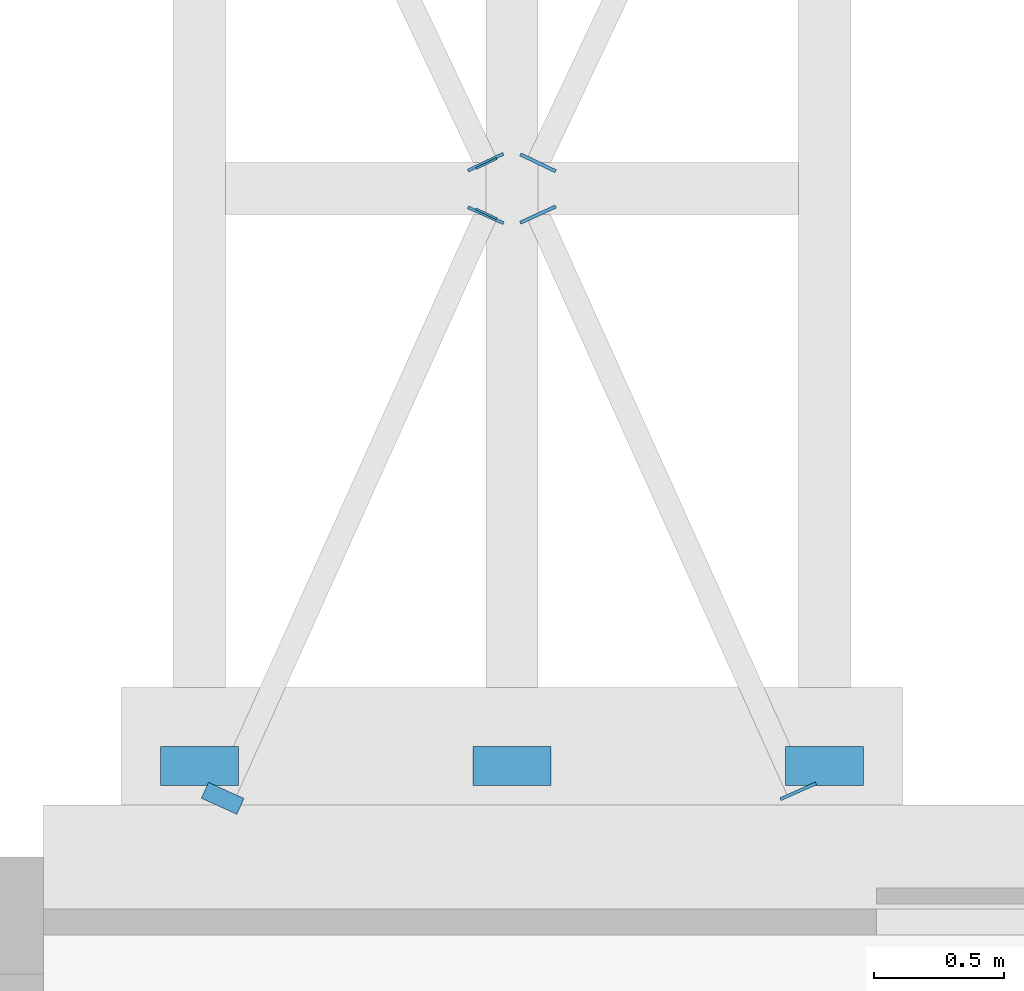
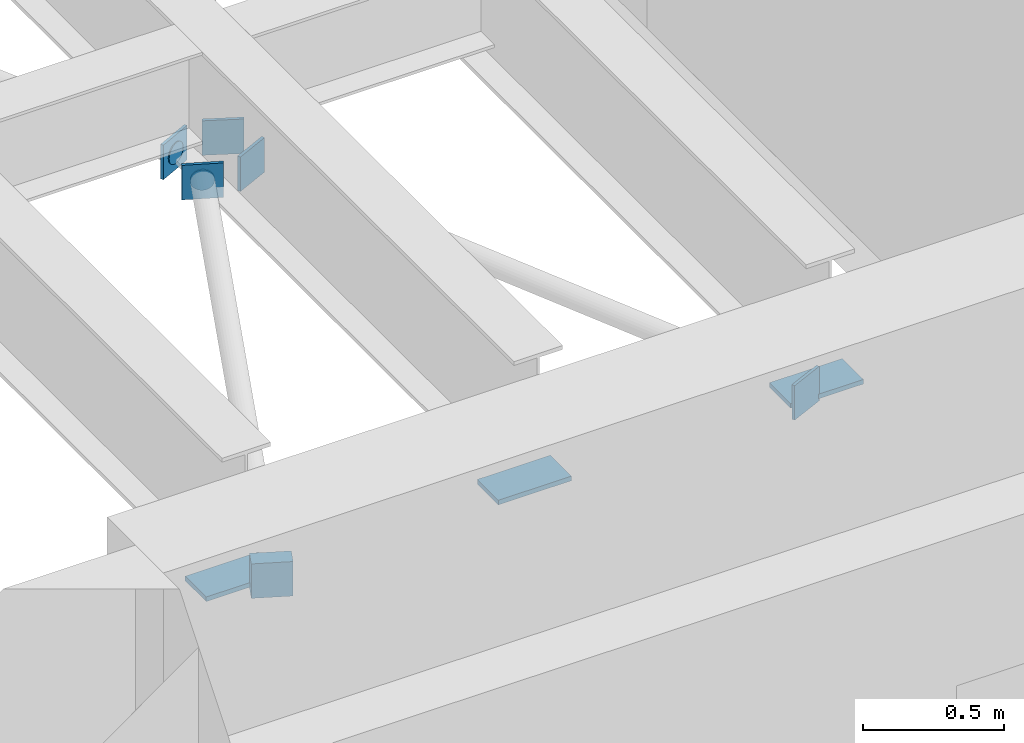
# One storey, part 78 of 103: 11 discrete accessories.
"""IFC4 building model written with IfcOpenShell, lengths in metres."""

from ifc_helpers import new_model, si_unit, direction, frame, origin, origin_2d, place, context, subcontext, project, spatial, rectangle, circle, extrude, material, material_profile, profile_set, type_object, element, save


model = new_model("IFC4")

# Units and contexts
model_context = context("Model", 3, precision=1e-05, world=origin(), true_north=direction((0.0, 1.0)))
body_context = subcontext(model_context, "Body", "Model", "MODEL_VIEW")
ifc_project = project(units=[si_unit("LENGTHUNIT", "METRE"), si_unit("AREAUNIT", "SQUARE_METRE"), si_unit("VOLUMEUNIT", "CUBIC_METRE"), si_unit("PLANEANGLEUNIT", "RADIAN"), si_unit("MASSUNIT", "GRAM", prefix="KILO")], contexts=[model_context])

# Site, building, storey
site_placement = place(None, origin())
site = spatial("IfcSite", under=ifc_project, at=site_placement, CompositionType="ELEMENT")
building_placement = place(site_placement, origin())
building = spatial("IfcBuilding", under=site, at=building_placement, Name="Laocheng Heights Fire and Rescue Headquarters", CompositionType="ELEMENT")
storey_placement = place(building_placement, frame((0.0, 0.0, 4.199951171875)))
storey = spatial("IfcBuildingStorey", under=building, at=storey_placement, Name="L01", CompositionType="ELEMENT", Elevation=4.199951171875)

# Discrete accessories
ifc_material_1 = material(Name="Steel Q355B", Category="steel")
ifc_material_profile_1 = material_profile(ifc_material_1, circle(Radius=0.04443359375, at=origin_2d()), Name="END CAP PLATE D89 x 8 FOR STEEL BRIDGE PLAN BRACE CHS 88.9x5")
ifc_profile_set_1 = profile_set([ifc_material_profile_1], Name="Steel Q355B")
discrete_accessory_type_1 = type_object("IfcDiscreteAccessoryType", Name="END CAP PLATE D89 x 8 FOR STEEL BRIDGE PLAN BRACE CHS 88.9x5", PredefinedType="BRACKET", material=ifc_profile_set_1)
discrete_accessory_1_placement = place(storey_placement, frame((7.699951171875, 24.066650390625, 3.4443359375), z_axis=(0.422885465331, 0.906183139995, 0.0), x_axis=(-0.906183139995, 0.422885465331, 0.0)))
element("IfcDiscreteAccessory", 1, at=discrete_accessory_1_placement, inside=storey, type_object=discrete_accessory_type_1, Name="Cap plate at Bridge B1 plan bracing end 2", PredefinedType="BRACKET", context=body_context, shape_type="SweptSolid", body=[
    extrude(circle(Radius=0.04443359375, at=origin_2d()), origin(), (0.0, 0.0, 1.0), 0.008056640625),
])
discrete_accessory_2_placement = place(storey_placement, frame((7.703369140625, 24.259521484375, 3.4443359375), z_axis=(-0.434749065831, 0.900551636365, 0.0), x_axis=(-0.900551636365, -0.434749065831, 0.0)))
element("IfcDiscreteAccessory", 2, at=discrete_accessory_2_placement, inside=storey, type_object=discrete_accessory_type_1, Name="Cap plate at Bridge B1 plan bracing end 1", PredefinedType="BRACKET", context=body_context, shape_type="SweptSolid", body=[
    extrude(circle(Radius=0.04443359375, at=origin_2d()), origin(), (0.0, 0.0, 1.0), 0.0078125),
])
ifc_material_2 = material(Name="Steel Q355B, dark grey painted", Category="steel")
ifc_material_profile_2 = material_profile(ifc_material_2, rectangle(XDim=0.14990234375, YDim=0.14990234375, at=origin_2d()), Name="GUSSET PLATE 150 x 150 x 12 FOR STEEL BRIDGE PLAN BRACE CHS 88.9x5")
ifc_profile_set_2 = profile_set([ifc_material_profile_2], Name="Steel Q355B, dark grey painted")
discrete_accessory_type_2 = type_object("IfcDiscreteAccessoryType", Name="GUSSET PLATE 150 x 150 x 12 FOR STEEL BRIDGE PLAN BRACE CHS 88.9x5", PredefinedType="BRACKET", material=ifc_profile_set_2)
for number, where, z_axis, x_axis, name in (
    (3, (7.69677734375, 24.059326171875, 3.4443359375), (0.406138466053, 0.91381154862, 0.0), (-0.91381154862, 0.406138466053, 0.0), "End plate at M2-Q end 2"),
    (4, (7.70166015625, 24.26318359375, 3.4443359375), (-0.430729586215, 0.902481037784, 0.0), (-0.902481037784, -0.430729586215, 0.0), "End plate at M2-Q end 1"),
    (5, (8.901611328125, 21.846435546875, 3.4443359375), (-0.406138466053, 0.91381154862, 0.0), (-0.91381154862, -0.406138466053, 0.0), "End plate at M2-Q end 1"),
):
    element("IfcDiscreteAccessory", number, at=place(storey_placement, frame(where, z_axis=z_axis, x_axis=x_axis)), inside=storey, type_object=discrete_accessory_type_2, Name=name, PredefinedType="BRACKET", context=body_context, shape_type="SweptSolid", body=[
        extrude(rectangle(XDim=0.14990234375, YDim=0.14990234375, at=origin_2d()), origin(), (0.0, 0.0, 1.0), 0.011962890625),
    ])
ifc_material_3 = material(Name="Steel Q355B, dark grey painted", Category="steel")
ifc_material_profile_3 = material_profile(ifc_material_3, rectangle(XDim=0.14990234375, YDim=0.14990234375, at=origin_2d()), Name="GUSSET PLATE 150 x 150 x 13 FOR STEEL BRIDGE PLAN BRACE CHS 88.9x5")
ifc_profile_set_3 = profile_set([ifc_material_profile_3], Name="Steel Q355B, dark grey painted")
discrete_accessory_type_3 = type_object("IfcDiscreteAccessoryType", Name="GUSSET PLATE 150 x 150 x 13 FOR STEEL BRIDGE PLAN BRACE CHS 88.9x5", PredefinedType="BRACKET", material=ifc_profile_set_3)
for number, where, z_axis, x_axis, name in (
    (6, (7.902587890625, 24.061279296875, 3.4443359375), (-0.416654710493, 0.909064822894, 0.0), (-0.909064822894, -0.416654710493, 0.0), "End plate at M2-Q end 2"),
    (7, (7.89697265625, 24.260498046875, 3.4443359375), (0.432120180431, 0.901816028725, 0.0), (-0.901816028725, 0.432120180431, 0.0), "End plate at M2-Q end 1"),
):
    element("IfcDiscreteAccessory", number, at=place(storey_placement, frame(where, z_axis=z_axis, x_axis=x_axis)), inside=storey, type_object=discrete_accessory_type_3, Name=name, PredefinedType="BRACKET", context=body_context, shape_type="SweptSolid", body=[
        extrude(rectangle(XDim=0.14990234375, YDim=0.14990234375, at=origin_2d()), origin(), (0.0, 0.0, 1.0), 0.012939453125),
    ])
ifc_material_4 = material(Name="Steel Q355B, dark grey painted", Category="steel")
ifc_material_profile_4 = material_profile(ifc_material_4, rectangle(XDim=0.14990234375, YDim=0.14990234375, at=origin_2d()), Name="GUSSET PLATE 150 x 150 x 67 FOR STEEL BRIDGE PLAN BRACE CHS 88.9x5")
ifc_profile_set_4 = profile_set([ifc_material_profile_4], Name="Steel Q355B, dark grey painted")
discrete_accessory_type_4 = type_object("IfcDiscreteAccessoryType", Name="GUSSET PLATE 150 x 150 x 67 FOR STEEL BRIDGE PLAN BRACE CHS 88.9x5", PredefinedType="BRACKET", material=ifc_profile_set_4)
discrete_accessory_3_placement = place(storey_placement, frame((6.6748046875, 21.79443359375, 3.4443359375), z_axis=(0.411879683548, 0.911238237938, 0.0), x_axis=(-0.911238237938, 0.411879683548, 0.0)))
element("IfcDiscreteAccessory", 8, at=discrete_accessory_3_placement, inside=storey, type_object=discrete_accessory_type_4, Name="End plate at M2-Q end 1", PredefinedType="BRACKET", context=body_context, shape_type="SweptSolid", body=[
    extrude(rectangle(XDim=0.14990234375, YDim=0.14990234375, at=origin_2d()), origin(), (0.0, 0.0, 1.0), 0.06689453125),
])
ifc_material_5 = material(Name="PTFE on stainless steel plate", Category="steel")
discrete_accessory_type_5 = type_object("IfcDiscreteAccessoryType", Name="SLIDING BEARING PAD 150 x 300 x 20", PredefinedType="SHOE", material=ifc_material_5)
for number, where, z_axis, x_axis, name in (
    (9, (6.60009765625, 21.949951171875, 3.380126953125), (0.0, 0.0, 1.0), (1.0, 0.0, 0.0), "Sliding bearing pad B1"),
    (10, (7.800048828125, 21.949951171875, 3.380126953125), (0.0, 0.0, 1.0), (1.0, 0.0, 0.0), "Sliding bearing pad B1"),
    (11, (9.0, 21.949951171875, 3.380126953125), (0.0, 0.0, 1.0), (1.0, 0.0, 0.0), "Sliding bearing pad B1"),
):
    element("IfcDiscreteAccessory", number, at=place(storey_placement, frame(where, z_axis=z_axis, x_axis=x_axis)), inside=storey, type_object=discrete_accessory_type_5, Name=name, PredefinedType="SHOE", context=body_context, shape_type="SweptSolid", body=[
        extrude(rectangle(XDim=0.300048828125, YDim=0.14990234375, at=origin_2d()), origin(), (0.0, 0.0, 1.0), 0.02001953125),
    ])

save(model, "model.ifc")
